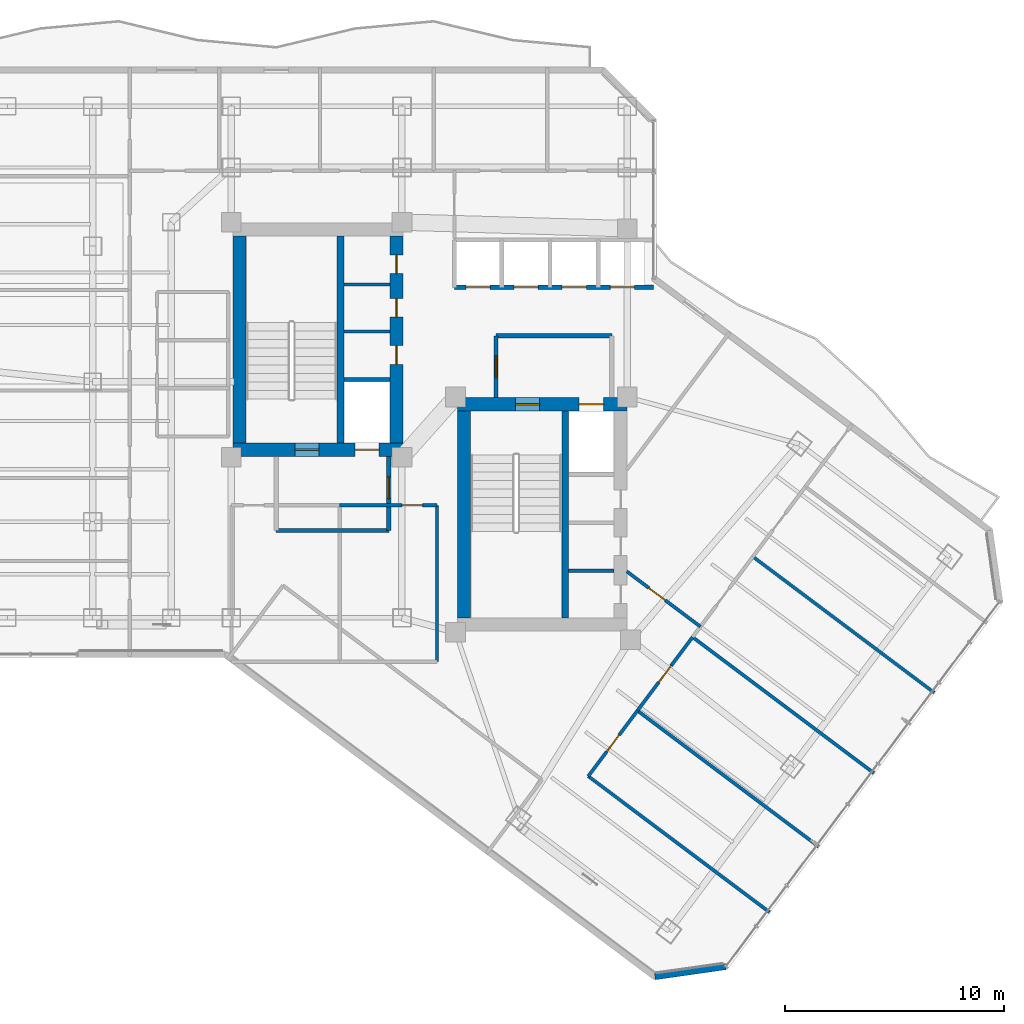
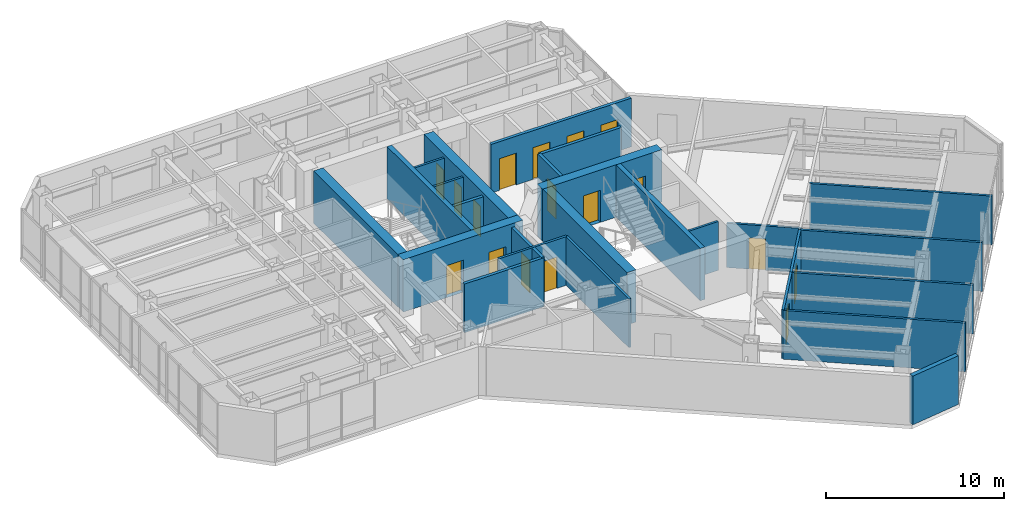
# One storey, part 23 of 29: 26 walls, 17 doors, 17 openings.
"""IFC4 building model written with IfcOpenShell, lengths in metres."""

from ifc_helpers import new_model, si_unit, direction, frame, frame_2d, origin, place, context, subcontext, project, spatial, rectangle, extrude, material, layer, layer_set, type_object, element, fill, save


model = new_model("IFC4")

# Units and contexts
model_context = context("Model", 3, precision=1e-05, world=origin(), true_north=direction((0.0, 1.0)))
body_context = subcontext(model_context, "Body", "Model", "MODEL_VIEW")
ifc_project = project(units=[si_unit("LENGTHUNIT", "METRE"), si_unit("AREAUNIT", "SQUARE_METRE"), si_unit("VOLUMEUNIT", "CUBIC_METRE"), si_unit("PLANEANGLEUNIT", "RADIAN"), si_unit("MASSUNIT", "GRAM", prefix="KILO")], contexts=[model_context])

# Site, building, storey
site_placement = place(None, origin())
site = spatial("IfcSite", under=ifc_project, at=site_placement, CompositionType="ELEMENT")
building_placement = place(site_placement, origin())
building = spatial("IfcBuilding", under=site, at=building_placement, Name="Hatsunagi Terrace Concourse", CompositionType="ELEMENT")
storey_placement = place(building_placement, frame((0.0, 0.0, 149.25)))
storey = spatial("IfcBuildingStorey", under=building, at=storey_placement, Name="L39", CompositionType="ELEMENT", Elevation=149.25)

# Wall, openings, doors
ifc_material_1 = material(Name="Concrete Fc48", Category="concrete")
ifc_layer_1 = layer(ifc_material_1, 0.60009765625)
ifc_layer_set_1 = layer_set([ifc_layer_1], Name="CoreShearWall_Fc48_600")
wall_type_1 = type_object("IfcWallType", Name="CoreShearWall_Fc48_600", PredefinedType="SHEAR", material=ifc_layer_set_1)
wall_1_placement = place(storey_placement, frame((25.6201171875, 32.889892578125, 0.0), z_axis=(0.0, 0.0, 1.0), x_axis=(1.0, 0.0, 0.0)))
wall_1 = element("IfcWall", 1, at=wall_1_placement, inside=storey, type_object=wall_type_1, Name="Core A Shear Wall S L39", PredefinedType="SHEAR", context=body_context, shape_type="SweptSolid", body=[
    extrude(rectangle(XDim=7.77978515625, YDim=0.60009765625, at=frame_2d((3.889892578125, 0.0))), origin(), (0.0, 0.0, 1.0), 3.60009765625),
])
opening_1_placement = place(wall_1_placement, frame((2.830078125, 0.0, 0.0)))
opening_1 = element("IfcOpeningElement", 2, at=opening_1_placement, cuts=wall_1, Name="Opening DR-110S", PredefinedType="OPENING", context=body_context, shape_type="SweptSolid", body=[
    extrude(rectangle(XDim=1.10009765625, YDim=2.199951171875, at=frame_2d((0.550048828125, 1.10009765625))), frame((0.0, 0.31005859375, 0.0), z_axis=(0.0, -1.0, 0.0), x_axis=(1.0, 0.0, 0.0)), (0.0, 0.0, 1.0), 0.6201171875),
])
opening_2_placement = place(wall_1_placement, frame((5.580078125, 0.0, 0.0)))
opening_2 = element("IfcOpeningElement", 3, at=opening_2_placement, cuts=wall_1, Name="Opening LD-01", PredefinedType="OPENING", context=body_context, shape_type="SweptSolid", body=[
    extrude(rectangle(XDim=1.10009765625, YDim=2.14990234375, at=frame_2d((0.550048828125, 1.074951171875))), frame((0.0, 0.31005859375, 0.0), z_axis=(0.0, -1.0, 0.0), x_axis=(1.0, 0.0, 0.0)), (0.0, 0.0, 1.0), 0.6201171875),
])
ifc_material_2 = material(Name="Stainless steel", Category="steel")
door_type_1 = type_object("IfcDoorType", Name="LiftLandingDoor_LD01", OperationType="SLIDING_TO_LEFT", PredefinedType="USERDEFINED", material=ifc_material_2)
door_1_placement = place(opening_2_placement, origin())
door_1 = element("IfcDoor", 4, at=door_1_placement, inside=storey, type_object=door_type_1, Name="Lift landing door FF-01 L39", ObjectType="SLIDING_LANDING_DOOR", OperationType="SLIDING_TO_LEFT", OverallHeight=2.14990234375, OverallWidth=1.10009765625, PredefinedType="USERDEFINED", context=body_context, shape_type="SweptSolid", body=[
    extrude(rectangle(XDim=1.10009765625, YDim=2.14990234375, at=frame_2d((0.550048828125, 1.074951171875))), frame((0.0, 0.02490234375, 0.0), z_axis=(0.0, -1.0, 0.0), x_axis=(1.0, 0.0, 0.0)), (0.0, 0.0, 1.0), 0.050048828125),
])
fill(opening_2, door_1)
ifc_material_3 = material(Name="Painted steel", Category="steel")
door_type_2 = type_object("IfcDoorType", Name="StairFireDoor_EI60_1100", OperationType="NOTDEFINED", PredefinedType="DOOR", material=ifc_material_3)
door_2_placement = place(opening_1_placement, origin())
door_2 = element("IfcDoor", 5, at=door_2_placement, inside=storey, type_object=door_type_2, Name="Stair ST-A Exit Door L39", OperationType="SINGLE_SWING_LEFT", OverallHeight=2.199951171875, OverallWidth=1.10009765625, PredefinedType="DOOR", context=body_context, shape_type="SweptSolid", body=[
    extrude(rectangle(XDim=1.10009765625, YDim=2.199951171875, at=frame_2d((0.550048828125, 1.10009765625))), frame((0.0, 0.02490234375, 0.0), z_axis=(0.0, -1.0, 0.0), x_axis=(1.0, 0.0, 0.0)), (0.0, 0.0, 1.0), 0.050048828125),
])
fill(opening_1, door_2)

# Wall
wall_2_placement = place(storey_placement, frame((25.919921875, 33.18994140625, 0.0), z_axis=(0.0, 0.0, 1.0), x_axis=(0.0, 1.0, 0.0)))
element("IfcWall", 6, at=wall_2_placement, inside=storey, type_object=wall_type_1, Name="Core A Shear Wall W L39", PredefinedType="SHEAR", context=body_context, shape_type="SweptSolid", body=[
    extrude(rectangle(XDim=9.47998046875, YDim=0.60009765625, at=frame_2d((4.739990234375, 0.0))), origin(), (0.0, 0.0, 1.0), 3.60009765625),
])

# Wall, openings, doors
wall_3_placement = place(storey_placement, frame((33.10009765625, 33.18994140625, 0.0), z_axis=(0.0, 0.0, 1.0), x_axis=(0.0, 1.0, 0.0)))
wall_3 = element("IfcWall", 7, at=wall_3_placement, inside=storey, type_object=wall_type_1, Name="Core A Shear Wall E L39", PredefinedType="SHEAR", context=body_context, shape_type="SweptSolid", body=[
    extrude(rectangle(XDim=9.47998046875, YDim=0.60009765625, at=frame_2d((4.739990234375, 0.0))), origin(), (0.0, 0.0, 1.0), 3.60009765625),
])
opening_3_placement = place(wall_3_placement, frame((3.610107421875, 0.0, 0.0)))
opening_3 = element("IfcOpeningElement", 8, at=opening_3_placement, cuts=wall_3, Name="Opening DR-085", PredefinedType="OPENING", context=body_context, shape_type="SweptSolid", body=[
    extrude(rectangle(XDim=0.85009765625, YDim=2.080078125, at=frame_2d((0.425048828125, 1.0400390625))), frame((0.0, 0.31005859375, 0.0), z_axis=(0.0, -1.0, 0.0), x_axis=(1.0, 0.0, 0.0)), (0.0, 0.0, 1.0), 0.6201171875),
])
opening_4_placement = place(wall_3_placement, frame((5.760009765625, 0.0, 0.0)))
opening_4 = element("IfcOpeningElement", 9, at=opening_4_placement, cuts=wall_3, Name="Opening DR-085", PredefinedType="OPENING", context=body_context, shape_type="SweptSolid", body=[
    extrude(rectangle(XDim=0.85009765625, YDim=2.080078125, at=frame_2d((0.425048828125, 1.0400390625))), frame((0.0, 0.31005859375, 0.0), z_axis=(0.0, -1.0, 0.0), x_axis=(1.0, 0.0, 0.0)), (0.0, 0.0, 1.0), 0.6201171875),
])
opening_5_placement = place(wall_3_placement, frame((7.760009765625, 0.0, 0.0)))
opening_5 = element("IfcOpeningElement", 10, at=opening_5_placement, cuts=wall_3, Name="Opening DR-085", PredefinedType="OPENING", context=body_context, shape_type="SweptSolid", body=[
    extrude(rectangle(XDim=0.85009765625, YDim=2.080078125, at=frame_2d((0.425048828125, 1.0400390625))), frame((0.0, 0.31005859375, 0.0), z_axis=(0.0, -1.0, 0.0), x_axis=(1.0, 0.0, 0.0)), (0.0, 0.0, 1.0), 0.6201171875),
])
ifc_material_4 = material(Name="Painted steel", Category="steel")
door_type_3 = type_object("IfcDoorType", Name="RiserAccessDoor_EI60_850", OperationType="NOTDEFINED", PredefinedType="DOOR", material=ifc_material_4)
door_3_placement = place(opening_3_placement, origin())
door_3 = element("IfcDoor", 11, at=door_3_placement, inside=storey, type_object=door_type_3, Name="Core A Riser Door L39-1", OperationType="SINGLE_SWING_LEFT", OverallHeight=2.080078125, OverallWidth=0.85009765625, PredefinedType="DOOR", context=body_context, shape_type="SweptSolid", body=[
    extrude(rectangle(XDim=0.85009765625, YDim=2.080078125, at=frame_2d((0.425048828125, 1.0400390625))), frame((0.0, 0.02490234375, 0.0), z_axis=(0.0, -1.0, 0.0), x_axis=(1.0, 0.0, 0.0)), (0.0, 0.0, 1.0), 0.050048828125),
])
fill(opening_3, door_3)
door_4_placement = place(opening_4_placement, origin())
door_4 = element("IfcDoor", 12, at=door_4_placement, inside=storey, type_object=door_type_3, Name="Core A Riser Door L39-2", OperationType="SINGLE_SWING_LEFT", OverallHeight=2.080078125, OverallWidth=0.85009765625, PredefinedType="DOOR", context=body_context, shape_type="SweptSolid", body=[
    extrude(rectangle(XDim=0.85009765625, YDim=2.080078125, at=frame_2d((0.425048828125, 1.0400390625))), frame((0.0, 0.02490234375, 0.0), z_axis=(0.0, -1.0, 0.0), x_axis=(1.0, 0.0, 0.0)), (0.0, 0.0, 1.0), 0.050048828125),
])
fill(opening_4, door_4)
door_5_placement = place(opening_5_placement, origin())
door_5 = element("IfcDoor", 13, at=door_5_placement, inside=storey, type_object=door_type_3, Name="Core A Riser Door L39-3", OperationType="SINGLE_SWING_LEFT", OverallHeight=2.080078125, OverallWidth=0.85009765625, PredefinedType="DOOR", context=body_context, shape_type="SweptSolid", body=[
    extrude(rectangle(XDim=0.85009765625, YDim=2.080078125, at=frame_2d((0.425048828125, 1.0400390625))), frame((0.0, 0.02490234375, 0.0), z_axis=(0.0, -1.0, 0.0), x_axis=(1.0, 0.0, 0.0)), (0.0, 0.0, 1.0), 0.050048828125),
])
fill(opening_5, door_5)

wall_4_placement = place(storey_placement, frame((35.889892578125, 34.969970703125, 0.0), z_axis=(0.0, 0.0, 1.0), x_axis=(1.0, 0.0, 0.0)))
wall_4 = element("IfcWall", 14, at=wall_4_placement, inside=storey, type_object=wall_type_1, Name="Core B Shear Wall N L39", PredefinedType="SHEAR", context=body_context, shape_type="SweptSolid", body=[
    extrude(rectangle(XDim=7.760009765625, YDim=0.60009765625, at=frame_2d((3.8798828125, 0.0))), origin(), (0.0, 0.0, 1.0), 3.60009765625),
])
opening_6_placement = place(wall_4_placement, frame((2.659912109375, 0.0, 0.0)))
opening_6 = element("IfcOpeningElement", 15, at=opening_6_placement, cuts=wall_4, Name="Opening DR-110S", PredefinedType="OPENING", context=body_context, shape_type="SweptSolid", body=[
    extrude(rectangle(XDim=1.10009765625, YDim=2.199951171875, at=frame_2d((0.550048828125, 1.10009765625))), frame((0.0, 0.31005859375, 0.0), z_axis=(0.0, -1.0, 0.0), x_axis=(1.0, 0.0, 0.0)), (0.0, 0.0, 1.0), 0.6201171875),
])
opening_7_placement = place(wall_4_placement, frame((5.56005859375, 0.0, 0.0)))
opening_7 = element("IfcOpeningElement", 16, at=opening_7_placement, cuts=wall_4, Name="Opening LD-02", PredefinedType="OPENING", context=body_context, shape_type="SweptSolid", body=[
    extrude(rectangle(XDim=1.1201171875, YDim=2.14990234375, at=frame_2d((0.56005859375, 1.074951171875))), frame((0.0, 0.31005859375, 0.0), z_axis=(0.0, -1.0, 0.0), x_axis=(1.0, 0.0, 0.0)), (0.0, 0.0, 1.0), 0.6201171875),
])
ifc_material_5 = material(Name="Stainless steel", Category="steel")
door_type_4 = type_object("IfcDoorType", Name="LiftLandingDoor_LD02", OperationType="SLIDING_TO_RIGHT", PredefinedType="USERDEFINED", material=ifc_material_5)
door_6_placement = place(opening_7_placement, origin())
door_6 = element("IfcDoor", 17, at=door_6_placement, inside=storey, type_object=door_type_4, Name="Lift landing door FF-02 L39", ObjectType="SLIDING_LANDING_DOOR", OperationType="SLIDING_TO_RIGHT", OverallHeight=2.14990234375, OverallWidth=1.1201171875, PredefinedType="USERDEFINED", context=body_context, shape_type="SweptSolid", body=[
    extrude(rectangle(XDim=1.1201171875, YDim=2.14990234375, at=frame_2d((0.56005859375, 1.074951171875))), frame((0.0, 0.02490234375, 0.0), z_axis=(0.0, -1.0, 0.0), x_axis=(1.0, 0.0, 0.0)), (0.0, 0.0, 1.0), 0.050048828125),
])
fill(opening_7, door_6)
door_7_placement = place(opening_6_placement, origin())
door_7 = element("IfcDoor", 18, at=door_7_placement, inside=storey, type_object=door_type_2, Name="Stair ST-B Exit Door L39", OperationType="SINGLE_SWING_RIGHT", OverallHeight=2.199951171875, OverallWidth=1.10009765625, PredefinedType="DOOR", context=body_context, shape_type="SweptSolid", body=[
    extrude(rectangle(XDim=1.10009765625, YDim=2.199951171875, at=frame_2d((0.550048828125, 1.10009765625))), frame((0.0, 0.02490234375, 0.0), z_axis=(0.0, -1.0, 0.0), x_axis=(1.0, 0.0, 0.0)), (0.0, 0.0, 1.0), 0.050048828125),
])
fill(opening_6, door_7)

# Walls
wall_5_placement = place(storey_placement, frame((36.18994140625, 25.18994140625, 0.0), z_axis=(0.0, 0.0, 1.0), x_axis=(0.0, 1.0, 0.0)))
element("IfcWall", 19, at=wall_5_placement, inside=storey, type_object=wall_type_1, Name="Core B Shear Wall W L39", PredefinedType="SHEAR", context=body_context, shape_type="SweptSolid", body=[
    extrude(rectangle(XDim=9.47998046875, YDim=0.60009765625, at=frame_2d((4.739990234375, 0.0))), origin(), (0.0, 0.0, 1.0), 3.60009765625),
])
ifc_material_6 = material(Name="Concrete Fc48", Category="concrete")
ifc_layer_2 = layer(ifc_material_6, 0.300048828125)
ifc_layer_set_2 = layer_set([ifc_layer_2], Name="CoreStairDivider_Fc48_300")
wall_type_2 = type_object("IfcWallType", Name="CoreStairDivider_Fc48_300", PredefinedType="SHEAR", material=ifc_layer_set_2)
for number, where, z_axis, x_axis, name in (
    (20, (30.5400390625, 33.18994140625, 0.0), (0.0, 0.0, 1.0), (0.0, 1.0, 0.0), "Core A Shear Wall D L39"),
    (21, (40.81005859375, 25.18994140625, 0.0), (0.0, 0.0, 1.0), (0.0, 1.0, 0.0), "Core B Shear Wall D L39"),
):
    element("IfcWall", number, at=place(storey_placement, frame(where, z_axis=z_axis, x_axis=x_axis)), inside=storey, type_object=wall_type_2, Name=name, PredefinedType="SHEAR", context=body_context, shape_type="SweptSolid", body=[
        extrude(rectangle(XDim=9.47998046875, YDim=0.300048828125, at=frame_2d((4.739990234375, 0.0))), origin(), (0.0, 0.0, 1.0), 3.60009765625),
    ])
ifc_material_7 = material(Name="Acoustic mineral board", Category="gypsum")
ifc_layer_3 = layer(ifc_material_7, 0.14990234375)
ifc_layer_set_3 = layer_set([ifc_layer_3], Name="PartitionWall_EI60_150")
wall_type_3 = type_object("IfcWallType", Name="PartitionWall_EI60_150", PredefinedType="PARTITIONING", material=ifc_layer_set_3)
for number, where, z_axis, x_axis, name in (
    (22, (30.699951171875, 38.300048828125, 0.0), (0.0, 0.0, 1.0), (1.0, 0.0, 0.0), "Interior Partition IW-L39-002"),
    (23, (30.699951171875, 40.449951171875, 0.0), (0.0, 0.0, 1.0), (1.0, 0.0, 0.0), "Interior Partition IW-L39-003"),
):
    element("IfcWall", number, at=place(storey_placement, frame(where, z_axis=z_axis, x_axis=x_axis)), inside=storey, type_object=wall_type_3, Name=name, PredefinedType="PARTITIONING", context=body_context, shape_type="SweptSolid", body=[
        extrude(rectangle(XDim=2.10009765625, YDim=0.14990234375, at=frame_2d((1.050048828125, 0.0))), origin(), (0.0, 0.0, 1.0), 3.35009765625),
    ])
wall_6_placement = place(storey_placement, frame((40.969970703125, 27.35009765625, 0.0), z_axis=(0.0, 0.0, 1.0), x_axis=(1.0, 0.0, 0.0)))
element("IfcWall", 24, at=wall_6_placement, inside=storey, type_object=wall_type_3, Name="Interior Partition IW-L39-005", PredefinedType="PARTITIONING", context=body_context, shape_type="SweptSolid", body=[
    extrude(rectangle(XDim=2.080078125, YDim=0.14990234375, at=frame_2d((1.0400390625, 0.0))), origin(), (0.0, 0.0, 1.0), 3.35009765625),
])

# Wall, opening, door
wall_7_placement = place(storey_placement, frame((30.5, 30.35009765625, 0.0), z_axis=(0.0, 0.0, 1.0), x_axis=(1.0, 0.0, 0.0)))
wall_7 = element("IfcWall", 25, at=wall_7_placement, inside=storey, type_object=wall_type_3, Name="Interior Partition IW-L39-032", PredefinedType="PARTITIONING", context=body_context, shape_type="SweptSolid", body=[
    extrude(rectangle(XDim=4.449951171875, YDim=0.14990234375, at=frame_2d((2.22509765625, 0.0))), origin(), (0.0, 0.0, 1.0), 3.35009765625),
])
opening_8_placement = place(wall_7_placement, frame((2.845947265625, 0.0, 0.0)))
opening_8 = element("IfcOpeningElement", 26, at=opening_8_placement, cuts=wall_7, Name="Opening DR-095", PredefinedType="OPENING", context=body_context, shape_type="SweptSolid", body=[
    extrude(rectangle(XDim=0.949951171875, YDim=2.14990234375, at=frame_2d((0.47509765625, 1.074951171875))), frame((0.0, 0.0849609375, 0.0), z_axis=(0.0, -1.0, 0.0), x_axis=(1.0, 0.0, 0.0)), (0.0, 0.0, 1.0), 0.169921875),
])
ifc_material_8 = material(Name="Hardwood timber", Category="wood")
door_type_5 = type_object("IfcDoorType", Name="InteriorSuiteDoor_EI30_950", OperationType="NOTDEFINED", PredefinedType="DOOR", material=ifc_material_8)
door_8_placement = place(opening_8_placement, origin())
door_8 = element("IfcDoor", 27, at=door_8_placement, inside=storey, type_object=door_type_5, Name="Executive Briefing Room L39-RECL2 Door", OperationType="SINGLE_SWING_RIGHT", OverallHeight=2.14990234375, OverallWidth=0.949951171875, PredefinedType="DOOR", context=body_context, shape_type="SweptSolid", body=[
    extrude(rectangle(XDim=0.949951171875, YDim=2.14990234375, at=frame_2d((0.47509765625, 1.074951171875))), frame((0.0, 0.02490234375, 0.0), z_axis=(0.0, -1.0, 0.0), x_axis=(1.0, 0.0, 0.0)), (0.0, 0.0, 1.0), 0.050048828125),
])
fill(opening_8, door_8)

# Walls
wall_8_placement = place(storey_placement, frame((34.949951171875, 23.199951171875, 0.0), z_axis=(0.0, 0.0, 1.0), x_axis=(0.0, 1.0, 0.0)))
element("IfcWall", 28, at=wall_8_placement, inside=storey, type_object=wall_type_3, Name="Interior Partition IW-L39-033", PredefinedType="PARTITIONING", context=body_context, shape_type="SweptSolid", body=[
    extrude(rectangle(XDim=7.150146484375, YDim=0.14990234375, at=frame_2d((3.5751953125, 0.0))), origin(), (0.0, 0.0, 1.0), 3.35009765625),
])
for number, where, z_axis, x_axis, name in (
    (29, (41.8701171875, 17.9599609375, 0.0), (0.0, 0.0, 1.0), (0.799991516197, -0.600011311571, 0.0), "Interior Partition IW-L39-054"),
    (30, (44.1201171875, 20.9599609375, 0.0), (0.0, 0.0, 1.0), (0.799991516197, -0.600011311571, 0.0), "Interior Partition IW-L39-055"),
):
    element("IfcWall", number, at=place(storey_placement, frame(where, z_axis=z_axis, x_axis=x_axis)), inside=storey, type_object=wall_type_3, Name=name, PredefinedType="PARTITIONING", context=body_context, shape_type="SweptSolid", body=[
        extrude(rectangle(XDim=10.35986328125, YDim=0.14990234375, at=frame_2d((5.179931640625, 0.0))), origin(), (0.0, 0.0, 1.0), 3.35009765625),
    ])

# Wall, opening, door
wall_9_placement = place(storey_placement, frame((41.8701171875, 17.9599609375, 0.0), z_axis=(0.0, 0.0, 1.0), x_axis=(0.6, 0.8, 0.0)))
wall_9 = element("IfcWall", 31, at=wall_9_placement, inside=storey, type_object=wall_type_3, Name="Interior Partition IW-L39-056", PredefinedType="PARTITIONING", context=body_context, shape_type="SweptSolid", body=[
    extrude(rectangle(XDim=3.75, YDim=0.14990234375, at=frame_2d((1.875, 0.0))), origin(), (0.0, 0.0, 1.0), 3.35009765625),
])
opening_9_placement = place(wall_9_placement, frame((1.39990234375, 0.0, 0.0)))
opening_9 = element("IfcOpeningElement", 32, at=opening_9_placement, cuts=wall_9, Name="Opening DR-095", PredefinedType="OPENING", context=body_context, shape_type="SweptSolid", body=[
    extrude(rectangle(XDim=0.949951171875, YDim=2.14990234375, at=frame_2d((0.47509765625, 1.074951171875))), frame((0.0, 0.0849609375, 0.0), z_axis=(0.0, -1.0, 0.0), x_axis=(1.0, 0.0, 0.0)), (0.0, 0.0, 1.0), 0.169921875),
])
door_9_placement = place(opening_9_placement, origin())
door_9 = element("IfcDoor", 33, at=door_9_placement, inside=storey, type_object=door_type_5, Name="Focus Room L39-OSE1 Door", OperationType="SINGLE_SWING_RIGHT", OverallHeight=2.14990234375, OverallWidth=0.949951171875, PredefinedType="DOOR", context=body_context, shape_type="SweptSolid", body=[
    extrude(rectangle(XDim=0.949951171875, YDim=2.14990234375, at=frame_2d((0.47509765625, 1.074951171875))), frame((0.0, 0.02490234375, 0.0), z_axis=(0.0, -1.0, 0.0), x_axis=(1.0, 0.0, 0.0)), (0.0, 0.0, 1.0), 0.050048828125),
])
fill(opening_9, door_9)

# Wall
wall_10_placement = place(storey_placement, frame((46.639892578125, 24.320068359375, 0.0), z_axis=(0.0, 0.0, 1.0), x_axis=(0.8, -0.6, 0.0)))
element("IfcWall", 34, at=wall_10_placement, inside=storey, type_object=wall_type_3, Name="Interior Partition IW-L39-057", PredefinedType="PARTITIONING", context=body_context, shape_type="SweptSolid", body=[
    extrude(rectangle(XDim=10.360107421875, YDim=0.14990234375, at=frame_2d((5.18017578125, 0.0))), origin(), (0.0, 0.0, 1.0), 3.35009765625),
])

# Wall, opening, door
wall_11_placement = place(storey_placement, frame((44.1201171875, 20.9599609375, 0.0), z_axis=(0.0, 0.0, 1.0), x_axis=(0.59995349547, 0.800034876286, 0.0)))
wall_11 = element("IfcWall", 35, at=wall_11_placement, inside=storey, type_object=wall_type_3, Name="Interior Partition IW-L39-058", PredefinedType="PARTITIONING", context=body_context, shape_type="SweptSolid", body=[
    extrude(rectangle(XDim=4.199951171875, YDim=0.14990234375, at=frame_2d((2.10009765625, 0.0))), origin(), (0.0, 0.0, 1.0), 3.35009765625),
])
opening_10_placement = place(wall_11_placement, frame((1.625, 0.0, 0.0)))
opening_10 = element("IfcOpeningElement", 36, at=opening_10_placement, cuts=wall_11, Name="Opening DR-095", PredefinedType="OPENING", context=body_context, shape_type="SweptSolid", body=[
    extrude(rectangle(XDim=0.949951171875, YDim=2.14990234375, at=frame_2d((0.47509765625, 1.074951171875))), frame((0.0, 0.0849609375, 0.0), z_axis=(0.0, -1.0, 0.0), x_axis=(1.0, 0.0, 0.0)), (0.0, 0.0, 1.0), 0.169921875),
])
door_10_placement = place(opening_10_placement, origin())
door_10 = element("IfcDoor", 37, at=door_10_placement, inside=storey, type_object=door_type_5, Name="Executive Office L39-OSE2 Door", OperationType="SINGLE_SWING_RIGHT", OverallHeight=2.14990234375, OverallWidth=0.949951171875, PredefinedType="DOOR", context=body_context, shape_type="SweptSolid", body=[
    extrude(rectangle(XDim=0.949951171875, YDim=2.14990234375, at=frame_2d((0.47509765625, 1.074951171875))), frame((0.0, 0.02490234375, 0.0), z_axis=(0.0, -1.0, 0.0), x_axis=(1.0, 0.0, 0.0)), (0.0, 0.0, 1.0), 0.050048828125),
])
fill(opening_10, door_10)

# Wall
wall_12_placement = place(storey_placement, frame((49.39990234375, 28.0, 0.0), z_axis=(0.0, 0.0, 1.0), x_axis=(0.8, -0.6, 0.0)))
element("IfcWall", 38, at=wall_12_placement, inside=storey, type_object=wall_type_3, Name="Interior Partition IW-L39-059", PredefinedType="PARTITIONING", context=body_context, shape_type="SweptSolid", body=[
    extrude(rectangle(XDim=10.360107421875, YDim=0.14990234375, at=frame_2d((5.18017578125, 0.0))), origin(), (0.0, 0.0, 1.0), 3.35009765625),
])

# Wall, opening, door
wall_13_placement = place(storey_placement, frame((43.6298828125, 27.327880859375, 0.0), z_axis=(0.0, 0.0, 1.0), x_axis=(0.799972182084, -0.600037088764, 0.0)))
wall_13 = element("IfcWall", 39, at=wall_13_placement, inside=storey, type_object=wall_type_3, Name="Interior Partition IW-L39-064", PredefinedType="PARTITIONING", context=body_context, shape_type="SweptSolid", body=[
    extrude(rectangle(XDim=4.212890625, YDim=0.14990234375, at=frame_2d((2.1064453125, 0.0))), origin(), (0.0, 0.0, 1.0), 3.044921875),
])
opening_11_placement = place(wall_13_placement, frame((1.256103515625, 0.0, 0.0)))
opening_11 = element("IfcOpeningElement", 40, at=opening_11_placement, cuts=wall_13, Name="Opening DR-095", PredefinedType="OPENING", context=body_context, shape_type="SweptSolid", body=[
    extrude(rectangle(XDim=0.949951171875, YDim=2.14990234375, at=frame_2d((0.47509765625, 1.074951171875))), frame((0.0, 0.0849609375, 0.0), z_axis=(0.0, -1.0, 0.0), x_axis=(1.0, 0.0, 0.0)), (0.0, 0.0, 1.0), 0.169921875),
])
door_11_placement = place(opening_11_placement, origin())
door_11 = element("IfcDoor", 41, at=door_11_placement, inside=storey, type_object=door_type_5, Name="Collaboration Lounge L39-OSEN0 Door", OperationType="SINGLE_SWING_LEFT", OverallHeight=2.14990234375, OverallWidth=0.949951171875, PredefinedType="DOOR", context=body_context, shape_type="SweptSolid", body=[
    extrude(rectangle(XDim=0.949951171875, YDim=2.14990234375, at=frame_2d((0.47509765625, 1.074951171875))), frame((0.0, 0.02490234375, 0.0), z_axis=(0.0, -1.0, 0.0), x_axis=(1.0, 0.0, 0.0)), (0.0, 0.0, 1.0), 0.050048828125),
])
fill(opening_11, door_11)

# Walls
ifc_material_9 = material(Name="Acoustic mineral board", Category="gypsum")
ifc_layer_4 = layer(ifc_material_9, 0.199951171875)
ifc_layer_set_4 = layer_set([ifc_layer_4], Name="ShaftWall_EI120_200")
wall_type_4 = type_object("IfcWallType", Name="ShaftWall_EI120_200", PredefinedType="STANDARD", material=ifc_layer_set_4)
wall_14_placement = place(storey_placement, frame((30.699951171875, 36.10009765625, 0.0), z_axis=(0.0, 0.0, 1.0), x_axis=(1.0, 0.0, 0.0)))
element("IfcWall", 42, at=wall_14_placement, inside=storey, type_object=wall_type_4, Name="Interior Partition IW-L39-001", PredefinedType="STANDARD", context=body_context, shape_type="SweptSolid", body=[
    extrude(rectangle(XDim=2.10009765625, YDim=0.199951171875, at=frame_2d((1.050048828125, 0.0))), origin(), (0.0, 0.0, 1.0), 3.35009765625),
])
wall_15_placement = place(storey_placement, frame((27.60009765625, 29.199951171875, 0.0), z_axis=(0.0, 0.0, 1.0), x_axis=(1.0, 0.0, 0.0)))
element("IfcWall", 43, at=wall_15_placement, inside=storey, type_object=wall_type_4, Name="Interior Partition IW-L39-007", PredefinedType="STANDARD", context=body_context, shape_type="SweptSolid", body=[
    extrude(rectangle(XDim=5.14990234375, YDim=0.199951171875, at=frame_2d((2.574951171875, 0.0))), origin(), (0.0, 0.0, 1.0), 3.35009765625),
])

# Wall, opening, door
wall_16_placement = place(storey_placement, frame((32.75, 29.199951171875, 0.0), z_axis=(0.0, 0.0, 1.0), x_axis=(0.0, 1.0, 0.0)))
wall_16 = element("IfcWall", 44, at=wall_16_placement, inside=storey, type_object=wall_type_4, Name="Interior Partition IW-L39-009", PredefinedType="STANDARD", context=body_context, shape_type="SweptSolid", body=[
    extrude(rectangle(XDim=3.39013671875, YDim=0.199951171875, at=frame_2d((1.695068359375, 0.0))), origin(), (0.0, 0.0, 1.0), 3.35009765625),
])
opening_12_placement = place(wall_16_placement, frame((1.449951171875, 0.0, 0.0)))
opening_12 = element("IfcOpeningElement", 45, at=opening_12_placement, cuts=wall_16, Name="Opening DR-100F", PredefinedType="OPENING", context=body_context, shape_type="SweptSolid", body=[
    extrude(rectangle(XDim=1.0, YDim=2.199951171875, at=frame_2d((0.5, 1.10009765625))), frame((0.0, 0.10986328125, 0.0), z_axis=(0.0, -1.0, 0.0), x_axis=(1.0, 0.0, 0.0)), (0.0, 0.0, 1.0), 0.219970703125),
])
ifc_material_10 = material(Name="Painted steel", Category="steel")
door_type_6 = type_object("IfcDoorType", Name="FireDoor_EI60_1000", OperationType="NOTDEFINED", PredefinedType="DOOR", material=ifc_material_10)
door_12_placement = place(opening_12_placement, origin())
door_12 = element("IfcDoor", 46, at=door_12_placement, inside=storey, type_object=door_type_6, Name="Firefighting Lobby A Door L39", OperationType="SINGLE_SWING_RIGHT", OverallHeight=2.199951171875, OverallWidth=1.0, PredefinedType="DOOR", context=body_context, shape_type="SweptSolid", body=[
    extrude(rectangle(XDim=1.0, YDim=2.199951171875, at=frame_2d((0.5, 1.10009765625))), frame((0.0, 0.02490234375, 0.0), z_axis=(0.0, -1.0, 0.0), x_axis=(1.0, 0.0, 0.0)), (0.0, 0.0, 1.0), 0.050048828125),
])
fill(opening_12, door_12)

# Wall
wall_17_placement = place(storey_placement, frame((37.64990234375, 38.10009765625, 0.0), z_axis=(0.0, 0.0, 1.0), x_axis=(1.0, 0.0, 0.0)))
element("IfcWall", 47, at=wall_17_placement, inside=storey, type_object=wall_type_4, Name="Interior Partition IW-L39-010", PredefinedType="STANDARD", context=body_context, shape_type="SweptSolid", body=[
    extrude(rectangle(XDim=5.300048828125, YDim=0.199951171875, at=frame_2d((2.64990234375, 0.0))), origin(), (0.0, 0.0, 1.0), 3.35009765625),
])

# Wall, opening, door
wall_18_placement = place(storey_placement, frame((37.64990234375, 35.27001953125, 0.0), z_axis=(0.0, 0.0, 1.0), x_axis=(0.0, 1.0, 0.0)))
wall_18 = element("IfcWall", 48, at=wall_18_placement, inside=storey, type_object=wall_type_4, Name="Interior Partition IW-L39-012", PredefinedType="STANDARD", context=body_context, shape_type="SweptSolid", body=[
    extrude(rectangle(XDim=2.830078125, YDim=0.199951171875, at=frame_2d((1.4150390625, 0.0))), origin(), (0.0, 0.0, 1.0), 3.35009765625),
])
opening_13_placement = place(wall_18_placement, frame((0.9150390625, 0.0, 0.0)))
opening_13 = element("IfcOpeningElement", 49, at=opening_13_placement, cuts=wall_18, Name="Opening DR-100F", PredefinedType="OPENING", context=body_context, shape_type="SweptSolid", body=[
    extrude(rectangle(XDim=1.0, YDim=2.199951171875, at=frame_2d((0.5, 1.10009765625))), frame((0.0, 0.10986328125, 0.0), z_axis=(0.0, -1.0, 0.0), x_axis=(1.0, 0.0, 0.0)), (0.0, 0.0, 1.0), 0.219970703125),
])
door_13_placement = place(opening_13_placement, origin())
door_13 = element("IfcDoor", 50, at=door_13_placement, inside=storey, type_object=door_type_6, Name="Firefighting Lobby B Door L39", OperationType="SINGLE_SWING_RIGHT", OverallHeight=2.199951171875, OverallWidth=1.0, PredefinedType="DOOR", context=body_context, shape_type="SweptSolid", body=[
    extrude(rectangle(XDim=1.0, YDim=2.199951171875, at=frame_2d((0.5, 1.10009765625))), frame((0.0, 0.02490234375, 0.0), z_axis=(0.0, -1.0, 0.0), x_axis=(1.0, 0.0, 0.0)), (0.0, 0.0, 1.0), 0.050048828125),
])
fill(opening_13, door_13)

# Wall, openings, doors
wall_19_placement = place(storey_placement, frame((35.75, 40.320068359375, 0.0), z_axis=(0.0, 0.0, 1.0), x_axis=(1.0, 0.0, 0.0)))
wall_19 = element("IfcWall", 51, at=wall_19_placement, inside=storey, type_object=wall_type_4, Name="Interior Partition IW-L39-018", PredefinedType="STANDARD", context=body_context, shape_type="SweptSolid", body=[
    extrude(rectangle(XDim=9.110107421875, YDim=0.199951171875, at=frame_2d((4.55517578125, 0.0))), origin(), (0.0, 0.0, 1.0), 3.35009765625),
])
opening_14_placement = place(wall_19_placement, frame((0.530029296875, 0.0, 0.0)))
opening_14 = element("IfcOpeningElement", 52, at=opening_14_placement, cuts=wall_19, Name="Opening LD-04", PredefinedType="OPENING", context=body_context, shape_type="SweptSolid", body=[
    extrude(rectangle(XDim=1.10009765625, YDim=2.179931640625, at=frame_2d((0.550048828125, 1.08984375))), frame((0.0, 0.10986328125, 0.0), z_axis=(0.0, -1.0, 0.0), x_axis=(1.0, 0.0, 0.0)), (0.0, 0.0, 1.0), 0.219970703125),
])
opening_15_placement = place(wall_19_placement, frame((2.72998046875, 0.0, 0.0)))
opening_15 = element("IfcOpeningElement", 53, at=opening_15_placement, cuts=wall_19, Name="Opening LD-04", PredefinedType="OPENING", context=body_context, shape_type="SweptSolid", body=[
    extrude(rectangle(XDim=1.10009765625, YDim=2.179931640625, at=frame_2d((0.550048828125, 1.08984375))), frame((0.0, 0.10986328125, 0.0), z_axis=(0.0, -1.0, 0.0), x_axis=(1.0, 0.0, 0.0)), (0.0, 0.0, 1.0), 0.219970703125),
])
opening_16_placement = place(wall_19_placement, frame((4.929931640625, 0.0, 0.0)))
opening_16 = element("IfcOpeningElement", 54, at=opening_16_placement, cuts=wall_19, Name="Opening LD-04", PredefinedType="OPENING", context=body_context, shape_type="SweptSolid", body=[
    extrude(rectangle(XDim=1.10009765625, YDim=2.179931640625, at=frame_2d((0.550048828125, 1.08984375))), frame((0.0, 0.10986328125, 0.0), z_axis=(0.0, -1.0, 0.0), x_axis=(1.0, 0.0, 0.0)), (0.0, 0.0, 1.0), 0.219970703125),
])
opening_17_placement = place(wall_19_placement, frame((7.1298828125, 0.0, 0.0)))
opening_17 = element("IfcOpeningElement", 55, at=opening_17_placement, cuts=wall_19, Name="Opening LD-04", PredefinedType="OPENING", context=body_context, shape_type="SweptSolid", body=[
    extrude(rectangle(XDim=1.10009765625, YDim=2.179931640625, at=frame_2d((0.550048828125, 1.08984375))), frame((0.0, 0.10986328125, 0.0), z_axis=(0.0, -1.0, 0.0), x_axis=(1.0, 0.0, 0.0)), (0.0, 0.0, 1.0), 0.219970703125),
])
ifc_material_11 = material(Name="Stainless steel", Category="steel")
door_type_7 = type_object("IfcDoorType", Name="LiftLandingDoor_LD04", OperationType="SLIDING_TO_RIGHT", PredefinedType="USERDEFINED", material=ifc_material_11)
door_14_placement = place(opening_14_placement, origin())
door_14 = element("IfcDoor", 56, at=door_14_placement, inside=storey, type_object=door_type_7, Name="Lift landing door PL-05 L39", ObjectType="SLIDING_LANDING_DOOR", OperationType="SLIDING_TO_RIGHT", OverallHeight=2.179931640625, OverallWidth=1.10009765625, PredefinedType="USERDEFINED", context=body_context, shape_type="SweptSolid", body=[
    extrude(rectangle(XDim=1.10009765625, YDim=2.179931640625, at=frame_2d((0.550048828125, 1.08984375))), frame((0.0, 0.02490234375, 0.0), z_axis=(0.0, -1.0, 0.0), x_axis=(1.0, 0.0, 0.0)), (0.0, 0.0, 1.0), 0.050048828125),
])
fill(opening_14, door_14)
door_15_placement = place(opening_15_placement, origin())
door_15 = element("IfcDoor", 57, at=door_15_placement, inside=storey, type_object=door_type_7, Name="Lift landing door PL-06 L39", ObjectType="SLIDING_LANDING_DOOR", OperationType="SLIDING_TO_RIGHT", OverallHeight=2.179931640625, OverallWidth=1.10009765625, PredefinedType="USERDEFINED", context=body_context, shape_type="SweptSolid", body=[
    extrude(rectangle(XDim=1.10009765625, YDim=2.179931640625, at=frame_2d((0.550048828125, 1.08984375))), frame((0.0, 0.02490234375, 0.0), z_axis=(0.0, -1.0, 0.0), x_axis=(1.0, 0.0, 0.0)), (0.0, 0.0, 1.0), 0.050048828125),
])
fill(opening_15, door_15)
door_16_placement = place(opening_16_placement, origin())
door_16 = element("IfcDoor", 58, at=door_16_placement, inside=storey, type_object=door_type_7, Name="Lift landing door PL-07 L39", ObjectType="SLIDING_LANDING_DOOR", OperationType="SLIDING_TO_RIGHT", OverallHeight=2.179931640625, OverallWidth=1.10009765625, PredefinedType="USERDEFINED", context=body_context, shape_type="SweptSolid", body=[
    extrude(rectangle(XDim=1.10009765625, YDim=2.179931640625, at=frame_2d((0.550048828125, 1.08984375))), frame((0.0, 0.02490234375, 0.0), z_axis=(0.0, -1.0, 0.0), x_axis=(1.0, 0.0, 0.0)), (0.0, 0.0, 1.0), 0.050048828125),
])
fill(opening_16, door_16)
door_17_placement = place(opening_17_placement, origin())
door_17 = element("IfcDoor", 59, at=door_17_placement, inside=storey, type_object=door_type_7, Name="Lift landing door PL-08 L39", ObjectType="SLIDING_LANDING_DOOR", OperationType="SLIDING_TO_RIGHT", OverallHeight=2.179931640625, OverallWidth=1.10009765625, PredefinedType="USERDEFINED", context=body_context, shape_type="SweptSolid", body=[
    extrude(rectangle(XDim=1.10009765625, YDim=2.179931640625, at=frame_2d((0.550048828125, 1.08984375))), frame((0.0, 0.02490234375, 0.0), z_axis=(0.0, -1.0, 0.0), x_axis=(1.0, 0.0, 0.0)), (0.0, 0.0, 1.0), 0.050048828125),
])
fill(opening_17, door_17)

# Wall
ifc_material_12 = material(Name="Autoclaved Lightweight Concrete and Terracotta Cladding", Category="masonry")
ifc_layer_5 = layer(ifc_material_12, 0.280029296875)
ifc_layer_set_5 = layer_set([ifc_layer_5], Name="TerracottaSpandrelWall_280")
wall_type_5 = type_object("IfcWallType", Name="TerracottaSpandrelWall_280", PredefinedType="STANDARD", material=ifc_layer_set_5)
wall_20_placement = place(storey_placement, frame((48.1630859375, 9.25, 0.0), z_axis=(0.0, 0.0, 1.0), x_axis=(-0.989979263428, -0.141212810973, 0.0)))
element("IfcWall", 60, at=wall_20_placement, inside=storey, type_object=wall_type_5, Name="Exterior Spandrel Wall EW-L39-04", PredefinedType="STANDARD", context=body_context, shape_type="SweptSolid", body=[
    extrude(rectangle(XDim=3.278076171875, YDim=0.280029296875, at=frame_2d((1.63916015625, 0.0))), origin(), (0.0, 0.0, 1.0), 3.35009765625),
])

save(model, "model.ifc")
